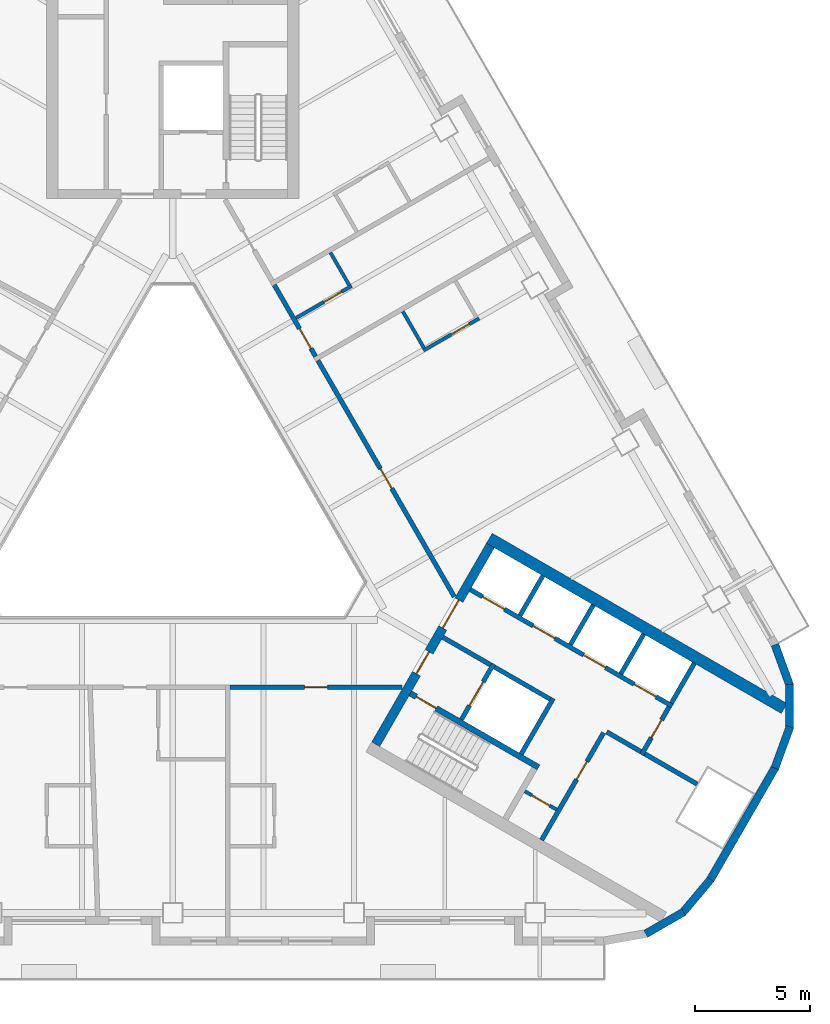
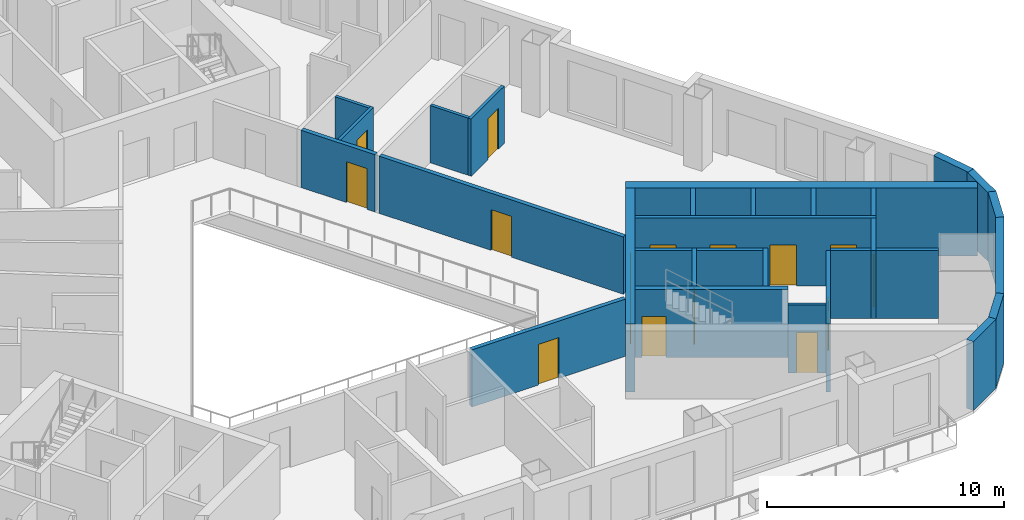
# One storey, part 5 of 13: 30 walls, 16 doors, 16 openings.
"""IFC4 building model written with IfcOpenShell, lengths in metres."""

from ifc_helpers import new_model, si_unit, direction, frame, frame_2d, origin, place, context, subcontext, project, spatial, rectangle, extrude, material, layer, layer_set, type_object, element, fill, save


model = new_model("IFC4")

# Units and contexts
model_context = context("Model", 3, precision=1e-05, world=origin(), true_north=direction((0.0, 1.0)))
body_context = subcontext(model_context, "Body", "Model", "MODEL_VIEW")
ifc_project = project(units=[si_unit("LENGTHUNIT", "METRE"), si_unit("AREAUNIT", "SQUARE_METRE"), si_unit("VOLUMEUNIT", "CUBIC_METRE"), si_unit("PLANEANGLEUNIT", "RADIAN"), si_unit("MASSUNIT", "GRAM", prefix="KILO")], contexts=[model_context])

# Site, building, storey
site_placement = place(None, origin())
site = spatial("IfcSite", under=ifc_project, at=site_placement, CompositionType="ELEMENT")
building_placement = place(site_placement, origin())
building = spatial("IfcBuilding", under=site, at=building_placement, Name="Apuvela Tower Hotel", CompositionType="ELEMENT")
storey_placement = place(building_placement, frame((0.0, 0.0, 94.60009765625)))
storey = spatial("IfcBuildingStorey", under=building, at=storey_placement, Name="L21", CompositionType="ELEMENT", Elevation=94.60009765625)

# Wall, openings, doors
ifc_material_1 = material(Name="Concrete C50/60", Category="concrete")
ifc_layer_1 = layer(ifc_material_1, 0.39990234375)
ifc_layer_set_1 = layer_set([ifc_layer_1], Name="COR-WALL-CORE-400")
wall_type_1 = type_object("IfcWallType", Name="COR-WALL-CORE-400", PredefinedType="SHEAR", material=ifc_layer_set_1)
wall_1_placement = place(storey_placement, frame((8.844970703125, -10.880126953125, 0.0), z_axis=(0.0, 0.0, 1.0), x_axis=(0.500004234368, 0.866022959057, 0.0)))
wall_1 = element("IfcWall", 1, at=wall_1_placement, inside=storey, type_object=wall_type_1, Name="Core wall SE", PredefinedType="SHEAR", context=body_context, shape_type="SweptSolid", body=[
    extrude(rectangle(XDim=10.0, YDim=0.39990234375, at=frame_2d((5.0, 0.0))), origin(), (0.0, 0.0, 1.0), 3.5),
])
opening_1_placement = place(wall_1_placement, frame((3.550048828125, 0.0, 0.0)))
opening_1 = element("IfcOpeningElement", 2, at=opening_1_placement, cuts=wall_1, Name="Opening E-FD", PredefinedType="OPENING", context=body_context, shape_type="SweptSolid", body=[
    extrude(rectangle(XDim=1.10009765625, YDim=2.10009765625, at=frame_2d((0.550048828125, 1.050048828125))), frame((0.0, 0.2099609375, 0.0), z_axis=(0.0, -1.0, 0.0), x_axis=(1.0, 0.0, 0.0)), (0.0, 0.0, 1.0), 0.419921875),
])
opening_2_placement = place(wall_1_placement, frame((5.85009765625, 0.0, 0.0)))
opening_2 = element("IfcOpeningElement", 3, at=opening_2_placement, cuts=wall_1, Name="Opening E-GD", PredefinedType="OPENING", context=body_context, shape_type="SweptSolid", body=[
    extrude(rectangle(XDim=1.39990234375, YDim=2.10009765625, at=frame_2d((0.699951171875, 1.050048828125))), frame((0.0, 0.2099609375, 0.0), z_axis=(0.0, -1.0, 0.0), x_axis=(1.0, 0.0, 0.0)), (0.0, 0.0, 1.0), 0.419921875),
])
ifc_material_2 = material(Name="Steel fire door, powder coated", Category="steel")
door_type_1 = type_object("IfcDoorType", Name="COR-FD-1100", OperationType="NOTDEFINED", PredefinedType="DOOR", material=ifc_material_2)
door_1_placement = place(opening_1_placement, frame((1.10009765625, 0.0, 0.0), z_axis=(0.0, 0.0, 1.0), x_axis=(-1.0, 0.0, 0.0)))
door_1 = element("IfcDoor", 4, at=door_1_placement, inside=storey, type_object=door_type_1, Name="Firefighting lobby door E-FD", OperationType="SINGLE_SWING_LEFT", OverallHeight=2.10009765625, OverallWidth=1.10009765625, PredefinedType="DOOR", context=body_context, shape_type="SweptSolid", body=[
    extrude(rectangle(XDim=1.10009765625, YDim=2.10009765625, at=frame_2d((0.550048828125, 1.050048828125))), frame((0.0, 0.02490234375, 0.0), z_axis=(0.0, -1.0, 0.0), x_axis=(1.0, 0.0, 0.0)), (0.0, 0.0, 1.0), 0.050048828125),
])
fill(opening_1, door_1)
ifc_material_3 = material(Name="Glazed steel fire door", Category="steel")
door_type_2 = type_object("IfcDoorType", Name="COR-GD-1400", OperationType="DOUBLE_DOOR_SINGLE_SWING", PredefinedType="DOOR", material=ifc_material_3)
door_2_placement = place(opening_2_placement, frame((1.39990234375, 0.0, 0.0), z_axis=(0.0, 0.0, 1.0), x_axis=(-1.0, 0.0, 0.0)))
door_2 = element("IfcDoor", 5, at=door_2_placement, inside=storey, type_object=door_type_2, Name="Lift lobby door E-GD", OperationType="DOUBLE_DOOR_SINGLE_SWING", OverallHeight=2.10009765625, OverallWidth=1.39990234375, PredefinedType="DOOR", context=body_context, shape_type="SweptSolid", body=[
    extrude(rectangle(XDim=1.39990234375, YDim=2.10009765625, at=frame_2d((0.699951171875, 1.050048828125))), frame((0.0, 0.02490234375, 0.0), z_axis=(0.0, -1.0, 0.0), x_axis=(1.0, 0.0, 0.0)), (0.0, 0.0, 1.0), 0.050048828125),
])
fill(opening_2, door_2)

# Wall
ifc_layer_2 = layer(ifc_material_1, 0.5)
ifc_layer_set_2 = layer_set([ifc_layer_2], Name="COR-WALL-CORE-500")
wall_type_2 = type_object("IfcWallType", Name="COR-WALL-CORE-500", PredefinedType="SHEAR", material=ifc_layer_set_2)
wall_2_placement = place(storey_placement, frame((13.796630859375, -1.9033203125, 0.0), z_axis=(0.0, 0.0, 1.0), x_axis=(0.866025009528, -0.500000682871, 0.0)))
element("IfcWall", 6, at=wall_2_placement, inside=storey, type_object=wall_type_2, Name="Core wall SE", PredefinedType="SHEAR", context=body_context, shape_type="SweptSolid", body=[
    extrude(rectangle(XDim=14.8369140625, YDim=0.5, at=frame_2d((7.41845703125, 0.0))), origin(), (0.0, 0.0, 1.0), 3.5),
])

# Wall, opening, door
ifc_material_4 = material(Name="Blockwork 150 mm plastered", Category="masonry")
ifc_layer_3 = layer(ifc_material_4, 0.14990234375)
ifc_layer_set_3 = layer_set([ifc_layer_3], Name="COR-WALL-PART-150")
wall_type_3 = type_object("IfcWallType", Name="COR-WALL-PART-150", PredefinedType="PARTITIONING", material=ifc_layer_set_3)
wall_3_placement = place(storey_placement, frame((15.341552734375, -12.927734375, 0.0), z_axis=(0.0, 0.0, 1.0), x_axis=(0.865989903783, -0.500061482766, 0.0)))
wall_3 = element("IfcWall", 7, at=wall_3_placement, inside=storey, type_object=wall_type_3, Name="Partition SE", PredefinedType="PARTITIONING", context=body_context, shape_type="SweptSolid", body=[
    extrude(rectangle(XDim=1.599853515625, YDim=0.14990234375, at=frame_2d((0.7998046875, 0.0))), origin(), (0.0, 0.0, 1.0), 3.5),
])
opening_3_placement = place(wall_3_placement, frame((0.35009765625, 0.0, 0.0)))
opening_3 = element("IfcOpeningElement", 8, at=opening_3_placement, cuts=wall_3, Name="Opening E-RD", PredefinedType="OPENING", context=body_context, shape_type="SweptSolid", body=[
    extrude(rectangle(XDim=0.89990234375, YDim=2.10009765625, at=frame_2d((0.449951171875, 1.050048828125))), frame((0.0, 0.0849609375, 0.0), z_axis=(0.0, -1.0, 0.0), x_axis=(1.0, 0.0, 0.0)), (0.0, 0.0, 1.0), 0.169921875),
])
ifc_material_5 = material(Name="Steel access door, powder coated", Category="steel")
door_type_3 = type_object("IfcDoorType", Name="COR-RD-900", OperationType="NOTDEFINED", PredefinedType="DOOR", material=ifc_material_5)
door_3_placement = place(opening_3_placement, frame((0.89990234375, 0.0, 0.0), z_axis=(0.0, 0.0, 1.0), x_axis=(-1.0, 0.0, 0.0)))
door_3 = element("IfcDoor", 9, at=door_3_placement, inside=storey, type_object=door_type_3, Name="Riser door E-RD", OperationType="SINGLE_SWING_LEFT", OverallHeight=2.10009765625, OverallWidth=0.89990234375, PredefinedType="DOOR", context=body_context, shape_type="SweptSolid", body=[
    extrude(rectangle(XDim=0.89990234375, YDim=2.10009765625, at=frame_2d((0.449951171875, 1.050048828125))), frame((0.0, 0.02490234375, 0.0), z_axis=(0.0, -1.0, 0.0), x_axis=(1.0, 0.0, 0.0)), (0.0, 0.0, 1.0), 0.050048828125),
])
fill(opening_3, door_3)

ifc_material_6 = material(Name="Blockwork 200 mm plastered", Category="masonry")
ifc_layer_4 = layer(ifc_material_6, 0.199951171875)
ifc_layer_set_4 = layer_set([ifc_layer_4], Name="COR-WALL-PART-200")
wall_type_4 = type_object("IfcWallType", Name="COR-WALL-PART-200", PredefinedType="PARTITIONING", material=ifc_layer_set_4)
wall_4_placement = place(storey_placement, frame((16.076171875, -15.05517578125, 0.0), z_axis=(0.0, 0.0, 1.0), x_axis=(0.499995103361, 0.866028230842, 0.0)))
wall_4 = element("IfcWall", 10, at=wall_4_placement, inside=storey, type_object=wall_type_4, Name="Partition SE", PredefinedType="PARTITIONING", context=body_context, shape_type="SweptSolid", body=[
    extrude(rectangle(XDim=5.39990234375, YDim=0.199951171875, at=frame_2d((2.699951171875, 0.0))), origin(), (0.0, 0.0, 1.0), 3.5),
])
opening_4_placement = place(wall_4_placement, frame((3.050048828125, 0.0, 0.0)))
opening_4 = element("IfcOpeningElement", 11, at=opening_4_placement, cuts=wall_4, Name="Opening E-RS1", PredefinedType="OPENING", context=body_context, shape_type="SweptSolid", body=[
    extrude(rectangle(XDim=0.89990234375, YDim=2.10009765625, at=frame_2d((0.449951171875, 1.050048828125))), frame((0.0, 0.10986328125, 0.0), z_axis=(0.0, -1.0, 0.0), x_axis=(1.0, 0.0, 0.0)), (0.0, 0.0, 1.0), 0.219970703125),
])
door_type_4 = type_object("IfcDoorType", Name="COR-DR-900", OperationType="NOTDEFINED", PredefinedType="DOOR", material=ifc_material_2)
door_4_placement = place(opening_4_placement, frame((0.89990234375, 0.0, 0.0), z_axis=(0.0, 0.0, 1.0), x_axis=(-1.0, 0.0, 0.0)))
door_4 = element("IfcDoor", 12, at=door_4_placement, inside=storey, type_object=door_type_4, Name="Store door E-RS1", OperationType="SINGLE_SWING_LEFT", OverallHeight=2.10009765625, OverallWidth=0.89990234375, PredefinedType="DOOR", context=body_context, shape_type="SweptSolid", body=[
    extrude(rectangle(XDim=0.89990234375, YDim=2.10009765625, at=frame_2d((0.449951171875, 1.050048828125))), frame((0.0, 0.02490234375, 0.0), z_axis=(0.0, -1.0, 0.0), x_axis=(1.0, 0.0, 0.0)), (0.0, 0.0, 1.0), 0.050048828125),
])
fill(opening_4, door_4)

# Wall
ifc_layer_5 = layer(ifc_material_1, 0.199951171875)
ifc_layer_set_5 = layer_set([ifc_layer_5], Name="COR-WALL-SHAFT-200")
wall_type_5 = type_object("IfcWallType", Name="COR-WALL-SHAFT-200", PredefinedType="SHEAR", material=ifc_layer_set_5)
wall_5_placement = place(storey_placement, frame((15.181396484375, -11.305419921875, 0.0), z_axis=(0.0, 0.0, 1.0), x_axis=(0.49994636267, 0.866056369097, 0.0)))
element("IfcWall", 13, at=wall_5_placement, inside=storey, type_object=wall_type_5, Name="Shaft wall SE", PredefinedType="SHEAR", context=body_context, shape_type="SweptSolid", body=[
    extrude(rectangle(XDim=2.800048828125, YDim=0.199951171875, at=frame_2d((1.39990234375, 0.0))), origin(), (0.0, 0.0, 1.0), 3.5),
])

# Wall, opening, door
wall_6_placement = place(storey_placement, frame((12.583251953125, -9.805419921875, 0.0), z_axis=(0.0, 0.0, 1.0), x_axis=(0.49994636267, 0.866056369097, 0.0)))
wall_6 = element("IfcWall", 14, at=wall_6_placement, inside=storey, type_object=wall_type_5, Name="Shaft wall SE", PredefinedType="SHEAR", context=body_context, shape_type="SweptSolid", body=[
    extrude(rectangle(XDim=2.800048828125, YDim=0.199951171875, at=frame_2d((1.39990234375, 0.0))), origin(), (0.0, 0.0, 1.0), 3.5),
])
opening_5_placement = place(wall_6_placement, frame((0.699951171875, 0.0, 0.0)))
opening_5 = element("IfcOpeningElement", 15, at=opening_5_placement, cuts=wall_6, Name="Opening E-LD-FS3", PredefinedType="OPENING", context=body_context, shape_type="SweptSolid", body=[
    extrude(rectangle(XDim=1.199951171875, YDim=2.10009765625, at=frame_2d((0.60009765625, 1.050048828125))), frame((0.0, 0.10986328125, 0.0), z_axis=(0.0, -1.0, 0.0), x_axis=(1.0, 0.0, 0.0)), (0.0, 0.0, 1.0), 0.219970703125),
])
ifc_material_7 = material(Name="Stainless steel lift landing door", Category="steel")
door_type_5 = type_object("IfcDoorType", Name="COR-LD-1200", OperationType="DOUBLE_DOOR_SLIDING", PredefinedType="DOOR", material=ifc_material_7)
door_5_placement = place(opening_5_placement, origin())
door_5 = element("IfcDoor", 16, at=door_5_placement, inside=storey, type_object=door_type_5, Name="Lift landing door E-LD-FS3", OperationType="DOUBLE_DOOR_SLIDING", OverallHeight=2.10009765625, OverallWidth=1.199951171875, PredefinedType="DOOR", context=body_context, shape_type="SweptSolid", body=[
    extrude(rectangle(XDim=1.199951171875, YDim=2.10009765625, at=frame_2d((0.60009765625, 1.050048828125))), frame((0.0, 0.02490234375, 0.0), z_axis=(0.0, -1.0, 0.0), x_axis=(1.0, 0.0, 0.0)), (0.0, 0.0, 1.0), 0.050048828125),
])
fill(opening_5, door_5)

# Walls
wall_7_placement = place(storey_placement, frame((11.76806640625, -6.217041015625, 0.0), z_axis=(0.0, 0.0, 1.0), x_axis=(0.866050077142, -0.499957262057, 0.0)))
element("IfcWall", 17, at=wall_7_placement, inside=storey, type_object=wall_type_5, Name="Shaft wall SE", PredefinedType="SHEAR", context=body_context, shape_type="SweptSolid", body=[
    extrude(rectangle(XDim=2.400146484375, YDim=0.199951171875, at=frame_2d((1.2001953125, 0.0))), origin(), (0.0, 0.0, 1.0), 3.5),
])
wall_8_placement = place(storey_placement, frame((14.019775390625, -7.51708984375, 0.0), z_axis=(0.0, 0.0, 1.0), x_axis=(0.866034573852, -0.49998411664, 0.0)))
element("IfcWall", 18, at=wall_8_placement, inside=storey, type_object=wall_type_5, Name="Shaft wall SE", PredefinedType="SHEAR", context=body_context, shape_type="SweptSolid", body=[
    extrude(rectangle(XDim=2.7998046875, YDim=0.199951171875, at=frame_2d((1.39990234375, 0.0))), origin(), (0.0, 0.0, 1.0), 3.5),
])

# Wall, openings, doors
wall_9_placement = place(storey_placement, frame((12.968017578125, -4.138427734375, 0.0), z_axis=(0.0, 0.0, 1.0), x_axis=(0.866028328073, -0.49999493495, 0.0)))
wall_9 = element("IfcWall", 19, at=wall_9_placement, inside=storey, type_object=wall_type_5, Name="Shaft wall SE", PredefinedType="SHEAR", context=body_context, shape_type="SweptSolid", body=[
    extrude(rectangle(XDim=10.16015625, YDim=0.199951171875, at=frame_2d((5.080078125, 0.0))), origin(), (0.0, 0.0, 1.0), 3.5),
])
opening_6_placement = place(wall_9_placement, frame((0.6201171875, 0.0, 0.0)))
opening_6 = element("IfcOpeningElement", 20, at=opening_6_placement, cuts=wall_9, Name="Opening E-LD-LR1", PredefinedType="OPENING", context=body_context, shape_type="SweptSolid", body=[
    extrude(rectangle(XDim=1.10009765625, YDim=2.10009765625, at=frame_2d((0.550048828125, 1.050048828125))), frame((0.0, 0.10986328125, 0.0), z_axis=(0.0, -1.0, 0.0), x_axis=(1.0, 0.0, 0.0)), (0.0, 0.0, 1.0), 0.219970703125),
])
opening_7_placement = place(wall_9_placement, frame((3.159912109375, 0.0, 0.0)))
opening_7 = element("IfcOpeningElement", 21, at=opening_7_placement, cuts=wall_9, Name="Opening E-LD-LR2", PredefinedType="OPENING", context=body_context, shape_type="SweptSolid", body=[
    extrude(rectangle(XDim=1.10009765625, YDim=2.10009765625, at=frame_2d((0.550048828125, 1.050048828125))), frame((0.0, 0.10986328125, 0.0), z_axis=(0.0, -1.0, 0.0), x_axis=(1.0, 0.0, 0.0)), (0.0, 0.0, 1.0), 0.219970703125),
])
opening_8_placement = place(wall_9_placement, frame((5.699951171875, 0.0, 0.0)))
opening_8 = element("IfcOpeningElement", 22, at=opening_8_placement, cuts=wall_9, Name="Opening E-LD-LR3", PredefinedType="OPENING", context=body_context, shape_type="SweptSolid", body=[
    extrude(rectangle(XDim=1.10009765625, YDim=2.10009765625, at=frame_2d((0.550048828125, 1.050048828125))), frame((0.0, 0.10986328125, 0.0), z_axis=(0.0, -1.0, 0.0), x_axis=(1.0, 0.0, 0.0)), (0.0, 0.0, 1.0), 0.219970703125),
])
opening_9_placement = place(wall_9_placement, frame((8.239990234375, 0.0, 0.0)))
opening_9 = element("IfcOpeningElement", 23, at=opening_9_placement, cuts=wall_9, Name="Opening E-LD-LR4", PredefinedType="OPENING", context=body_context, shape_type="SweptSolid", body=[
    extrude(rectangle(XDim=1.10009765625, YDim=2.10009765625, at=frame_2d((0.550048828125, 1.050048828125))), frame((0.0, 0.10986328125, 0.0), z_axis=(0.0, -1.0, 0.0), x_axis=(1.0, 0.0, 0.0)), (0.0, 0.0, 1.0), 0.219970703125),
])
door_type_6 = type_object("IfcDoorType", Name="COR-LD-1100", OperationType="DOUBLE_DOOR_SLIDING", PredefinedType="DOOR", material=ifc_material_7)
door_6_placement = place(opening_6_placement, origin())
door_6 = element("IfcDoor", 24, at=door_6_placement, inside=storey, type_object=door_type_6, Name="Lift landing door E-LD-LR1", OperationType="DOUBLE_DOOR_SLIDING", OverallHeight=2.10009765625, OverallWidth=1.10009765625, PredefinedType="DOOR", context=body_context, shape_type="SweptSolid", body=[
    extrude(rectangle(XDim=1.10009765625, YDim=2.10009765625, at=frame_2d((0.550048828125, 1.050048828125))), frame((0.0, 0.02490234375, 0.0), z_axis=(0.0, -1.0, 0.0), x_axis=(1.0, 0.0, 0.0)), (0.0, 0.0, 1.0), 0.050048828125),
])
fill(opening_6, door_6)
door_7_placement = place(opening_7_placement, origin())
door_7 = element("IfcDoor", 25, at=door_7_placement, inside=storey, type_object=door_type_6, Name="Lift landing door E-LD-LR2", OperationType="DOUBLE_DOOR_SLIDING", OverallHeight=2.10009765625, OverallWidth=1.10009765625, PredefinedType="DOOR", context=body_context, shape_type="SweptSolid", body=[
    extrude(rectangle(XDim=1.10009765625, YDim=2.10009765625, at=frame_2d((0.550048828125, 1.050048828125))), frame((0.0, 0.02490234375, 0.0), z_axis=(0.0, -1.0, 0.0), x_axis=(1.0, 0.0, 0.0)), (0.0, 0.0, 1.0), 0.050048828125),
])
fill(opening_7, door_7)
door_8_placement = place(opening_8_placement, origin())
door_8 = element("IfcDoor", 26, at=door_8_placement, inside=storey, type_object=door_type_6, Name="Lift landing door E-LD-LR3", OperationType="DOUBLE_DOOR_SLIDING", OverallHeight=2.10009765625, OverallWidth=1.10009765625, PredefinedType="DOOR", context=body_context, shape_type="SweptSolid", body=[
    extrude(rectangle(XDim=1.10009765625, YDim=2.10009765625, at=frame_2d((0.550048828125, 1.050048828125))), frame((0.0, 0.02490234375, 0.0), z_axis=(0.0, -1.0, 0.0), x_axis=(1.0, 0.0, 0.0)), (0.0, 0.0, 1.0), 0.050048828125),
])
fill(opening_8, door_8)
door_9_placement = place(opening_9_placement, origin())
door_9 = element("IfcDoor", 27, at=door_9_placement, inside=storey, type_object=door_type_6, Name="Lift landing door E-LD-LR4", OperationType="DOUBLE_DOOR_SLIDING", OverallHeight=2.10009765625, OverallWidth=1.10009765625, PredefinedType="DOOR", context=body_context, shape_type="SweptSolid", body=[
    extrude(rectangle(XDim=1.10009765625, YDim=2.10009765625, at=frame_2d((0.550048828125, 1.050048828125))), frame((0.0, 0.02490234375, 0.0), z_axis=(0.0, -1.0, 0.0), x_axis=(1.0, 0.0, 0.0)), (0.0, 0.0, 1.0), 0.050048828125),
])
fill(opening_9, door_9)

# Wall, opening, door
wall_10_placement = place(storey_placement, frame((20.430419921875, -11.33349609375, 0.0), z_axis=(0.0, 0.0, 1.0), x_axis=(0.500001309137, 0.866024647952, 0.0)))
wall_10 = element("IfcWall", 28, at=wall_10_placement, inside=storey, type_object=wall_type_5, Name="Shaft wall SE", PredefinedType="SHEAR", context=body_context, shape_type="SweptSolid", body=[
    extrude(rectangle(XDim=2.39990234375, YDim=0.199951171875, at=frame_2d((1.199951171875, 0.0))), origin(), (0.0, 0.0, 1.0), 3.5),
])
opening_10_placement = place(wall_10_placement, frame((0.85009765625, 0.0, 0.0)))
opening_10 = element("IfcOpeningElement", 29, at=opening_10_placement, cuts=wall_10, Name="Opening E-REP", PredefinedType="OPENING", context=body_context, shape_type="SweptSolid", body=[
    extrude(rectangle(XDim=0.89990234375, YDim=2.10009765625, at=frame_2d((0.449951171875, 1.050048828125))), frame((0.0, 0.10986328125, 0.0), z_axis=(0.0, -1.0, 0.0), x_axis=(1.0, 0.0, 0.0)), (0.0, 0.0, 1.0), 0.219970703125),
])
door_10_placement = place(opening_10_placement, frame((0.89990234375, 0.0, 0.0), z_axis=(0.0, 0.0, 1.0), x_axis=(-1.0, 0.0, 0.0)))
door_10 = element("IfcDoor", 30, at=door_10_placement, inside=storey, type_object=door_type_4, Name="Store door E-REP", OperationType="SINGLE_SWING_RIGHT", OverallHeight=2.10009765625, OverallWidth=0.89990234375, PredefinedType="DOOR", context=body_context, shape_type="SweptSolid", body=[
    extrude(rectangle(XDim=0.89990234375, YDim=2.10009765625, at=frame_2d((0.449951171875, 1.050048828125))), frame((0.0, 0.02490234375, 0.0), z_axis=(0.0, -1.0, 0.0), x_axis=(1.0, 0.0, 0.0)), (0.0, 0.0, 1.0), 0.050048828125),
])
fill(opening_10, door_10)

# Walls
wall_11_placement = place(storey_placement, frame((18.912841796875, -10.342041015625, 0.0), z_axis=(0.0, 0.0, 1.0), x_axis=(0.866038183914, -0.499977863513, 0.0)))
element("IfcWall", 31, at=wall_11_placement, inside=storey, type_object=wall_type_5, Name="Shaft wall SE", PredefinedType="SHEAR", context=body_context, shape_type="SweptSolid", body=[
    extrude(rectangle(XDim=1.7099609375, YDim=0.199951171875, at=frame_2d((0.85498046875, 0.0))), origin(), (0.0, 0.0, 1.0), 3.5),
])
for number, where, z_axis, x_axis, name in (
    (32, (15.131103515625, -5.27197265625, 0.0), (0.0, 0.0, 1.0), (0.499972520799, 0.866041268327, 0.0), "Shaft wall SE"),
    (33, (17.330810546875, -6.5419921875, 0.0), (0.0, 0.0, 1.0), (0.499972520799, 0.866041268327, 0.0), "Shaft wall SE"),
    (34, (19.530517578125, -7.81201171875, 0.0), (0.0, 0.0, 1.0), (0.499972520799, 0.866041268327, 0.0), "Shaft wall SE"),
    (35, (21.73046875, -9.081787109375, 0.0), (0.0, 0.0, 1.0), (0.50002537861, 0.866010750942, 0.0), "Shaft wall SE"),
):
    element("IfcWall", number, at=place(storey_placement, frame(where, z_axis=z_axis, x_axis=x_axis)), inside=storey, type_object=wall_type_5, Name=name, PredefinedType="SHEAR", context=body_context, shape_type="SweptSolid", body=[
        extrude(rectangle(XDim=2.0, YDim=0.199951171875, at=frame_2d((1.0, 0.0))), origin(), (0.0, 0.0, 1.0), 3.5),
    ])
wall_12_placement = place(storey_placement, frame((20.56689453125, -11.297119140625, 0.0), z_axis=(0.0, 0.0, 1.0), x_axis=(0.866060851709, -0.499938597367, 0.0)))
element("IfcWall", 36, at=wall_12_placement, inside=storey, type_object=wall_type_5, Name="Shaft wall SE", PredefinedType="SHEAR", context=body_context, shape_type="SweptSolid", body=[
    extrude(rectangle(XDim=2.639892578125, YDim=0.199951171875, at=frame_2d((1.31982421875, 0.0))), origin(), (0.0, 0.0, 1.0), 3.5),
])

# Wall, opening, door
ifc_layer_6 = layer(ifc_material_1, 0.25)
ifc_layer_set_6 = layer_set([ifc_layer_6], Name="COR-WALL-STAIR-250")
wall_type_6 = type_object("IfcWallType", Name="COR-WALL-STAIR-250", PredefinedType="SHEAR", material=ifc_layer_set_6)
wall_13_placement = place(storey_placement, frame((10.355712890625, -8.66357421875, 0.0), z_axis=(0.0, 0.0, 1.0), x_axis=(0.866028629588, -0.499994412703, 0.0)))
wall_13 = element("IfcWall", 37, at=wall_13_placement, inside=storey, type_object=wall_type_6, Name="Stair wall SE", PredefinedType="SHEAR", context=body_context, shape_type="SweptSolid", body=[
    extrude(rectangle(XDim=6.44970703125, YDim=0.25, at=frame_2d((3.224853515625, 0.0))), origin(), (0.0, 0.0, 1.0), 3.5),
])
opening_11_placement = place(wall_13_placement, frame((0.300048828125, 0.0, 0.0)))
opening_11 = element("IfcOpeningElement", 38, at=opening_11_placement, cuts=wall_13, Name="Opening E-SD", PredefinedType="OPENING", context=body_context, shape_type="SweptSolid", body=[
    extrude(rectangle(XDim=1.0, YDim=2.10009765625, at=frame_2d((0.5, 1.050048828125))), frame((0.0, 0.135009765625, 0.0), z_axis=(0.0, -1.0, 0.0), x_axis=(1.0, 0.0, 0.0)), (0.0, 0.0, 1.0), 0.27001953125),
])
door_type_7 = type_object("IfcDoorType", Name="COR-SD-1000", OperationType="NOTDEFINED", PredefinedType="DOOR", material=ifc_material_2)
door_11_placement = place(opening_11_placement, frame((1.0, 0.0, 0.0), z_axis=(0.0, 0.0, 1.0), x_axis=(-1.0, 0.0, 0.0)))
door_11 = element("IfcDoor", 39, at=door_11_placement, inside=storey, type_object=door_type_7, Name="Stair door E-SD", OperationType="SINGLE_SWING_LEFT", OverallHeight=2.10009765625, OverallWidth=1.0, PredefinedType="DOOR", context=body_context, shape_type="SweptSolid", body=[
    extrude(rectangle(XDim=1.0, YDim=2.10009765625, at=frame_2d((0.5, 1.050048828125))), frame((0.0, 0.02490234375, 0.0), z_axis=(0.0, -1.0, 0.0), x_axis=(1.0, 0.0, 0.0)), (0.0, 0.0, 1.0), 0.050048828125),
])
fill(opening_11, door_11)

# Walls
ifc_material_8 = material(Name="Concrete C40/50, dark pigmented precast panel", Category="concrete")
ifc_layer_7 = layer(ifc_material_8, 0.35009765625)
ifc_layer_set_7 = layer_set([ifc_layer_7], Name="ENV-WALL-350")
wall_type_7 = type_object("IfcWallType", Name="ENV-WALL-350", PredefinedType="SOLIDWALL", material=ifc_layer_set_7)
for number, where, z_axis, x_axis, name in (
    (40, (20.609619140625, -19.146728515625, 0.0), (0.0, 0.0, 1.0), (0.866000389056, 0.500043324278, 0.0), "External wall L21-27"),
    (41, (22.21728515625, -18.230712890625, 0.0), (0.0, 0.0, 1.0), (0.642733291068, 0.76609001857, 0.0), "External wall L21-28"),
):
    element("IfcWall", number, at=place(storey_placement, frame(where, z_axis=z_axis, x_axis=x_axis)), inside=storey, type_object=wall_type_7, Name=name, PredefinedType="SOLIDWALL", context=body_context, shape_type="SweptSolid", body=[
        extrude(rectangle(XDim=1.909912109375, YDim=0.35009765625, at=frame_2d((0.955078125, 0.0))), origin(), (0.0, 0.0, 1.0), 3.5498046875),
    ])
wall_14_placement = place(storey_placement, frame((23.427490234375, -16.79248046875, 0.0), z_axis=(0.0, 0.0, 1.0), x_axis=(0.500018773155, 0.866014564827, 0.0)))
element("IfcWall", 42, at=wall_14_placement, inside=storey, type_object=wall_type_7, Name="External wall L21-29", PredefinedType="SOLIDWALL", context=body_context, shape_type="SweptSolid", body=[
    extrude(rectangle(XDim=5.657958984375, YDim=0.35009765625, at=frame_2d((2.8291015625, 0.0))), origin(), (0.0, 0.0, 1.0), 3.5498046875),
])
for number, where, z_axis, x_axis, name in (
    (43, (26.24365234375, -11.920166015625, 0.0), (0.0, 0.0, 1.0), (0.342030395486, 0.939688889242, 0.0), "External wall L21-30"),
    (44, (26.88623046875, -10.18505859375, 0.0), (0.0, 0.0, 1.0), (0.0, 1.0, 0.0), "External wall L21-31"),
    (45, (26.89697265625, -8.334716796875, 0.0), (0.0, 0.0, 1.0), (-0.342030395486, 0.939688889242, 0.0), "External wall L21-32"),
):
    element("IfcWall", number, at=place(storey_placement, frame(where, z_axis=z_axis, x_axis=x_axis)), inside=storey, type_object=wall_type_7, Name=name, PredefinedType="SOLIDWALL", context=body_context, shape_type="SweptSolid", body=[
        extrude(rectangle(XDim=1.91015625, YDim=0.35009765625, at=frame_2d((0.955078125, 0.0))), origin(), (0.0, 0.0, 1.0), 3.5498046875),
    ])

# Wall, opening, door
ifc_material_9 = material(Name="Gypsum board corridor wall on twin steel stud, acoustic", Category="steel")
ifc_layer_8 = layer(ifc_material_9, 0.199951171875)
ifc_layer_set_8 = layer_set([ifc_layer_8], Name="GST-PW2")
wall_type_8 = type_object("IfcWallType", Name="GST-PW2", PredefinedType="PARTITIONING", material=ifc_layer_set_8)
wall_15_placement = place(storey_placement, frame((9.98828125, -8.39990234375, 0.0), z_axis=(0.0, 0.0, 1.0), x_axis=(-1.0, 0.0, 0.0)))
wall_15 = element("IfcWall", 46, at=wall_15_placement, inside=storey, type_object=wall_type_8, Name="L21 partition 15", PredefinedType="PARTITIONING", context=body_context, shape_type="SweptSolid", body=[
    extrude(rectangle(XDim=7.48828125, YDim=0.199951171875, at=frame_2d((3.744140625, 0.0))), origin(), (0.0, 0.0, 1.0), 2.949951171875),
])
opening_12_placement = place(wall_15_placement, frame((3.244140625, 0.0, 0.0)))
opening_12 = element("IfcOpeningElement", 47, at=opening_12_placement, cuts=wall_15, Name="Opening GD07-06", PredefinedType="OPENING", context=body_context, shape_type="SweptSolid", body=[
    extrude(rectangle(XDim=1.0, YDim=2.10009765625, at=frame_2d((0.5, 1.050048828125))), frame((0.0, 0.10986328125, 0.0), z_axis=(0.0, -1.0, 0.0), x_axis=(1.0, 0.0, 0.0)), (0.0, 0.0, 1.0), 0.219970703125),
])
ifc_material_10 = material(Name="Timber door leaf in steel frame", Category="steel")
door_type_8 = type_object("IfcDoorType", Name="GST-D1", OperationType="NOTDEFINED", PredefinedType="DOOR", material=ifc_material_10)
door_12_placement = place(opening_12_placement, origin())
door_12 = element("IfcDoor", 48, at=door_12_placement, inside=storey, type_object=door_type_8, Name="Door L21-06", OperationType="SINGLE_SWING_RIGHT", OverallHeight=2.10009765625, OverallWidth=1.0, PredefinedType="DOOR", context=body_context, shape_type="SweptSolid", body=[
    extrude(rectangle(XDim=1.0, YDim=2.10009765625, at=frame_2d((0.5, 1.050048828125))), frame((0.0, 0.02490234375, 0.0), z_axis=(0.0, -1.0, 0.0), x_axis=(1.0, 0.0, 0.0)), (0.0, 0.0, 1.0), 0.050048828125),
])
fill(opening_12, door_12)

wall_16_placement = place(storey_placement, frame((6.32470703125, 5.845458984375, 0.0), z_axis=(0.0, 0.0, 1.0), x_axis=(0.500002143212, -0.866024166397, 0.0)))
wall_16 = element("IfcWall", 49, at=wall_16_placement, inside=storey, type_object=wall_type_8, Name="L21 partition 19", PredefinedType="PARTITIONING", context=body_context, shape_type="SweptSolid", body=[
    extrude(rectangle(XDim=11.88818359375, YDim=0.199951171875, at=frame_2d((5.944091796875, 0.0))), origin(), (0.0, 0.0, 1.0), 2.949951171875),
])
opening_13_placement = place(wall_16_placement, frame((5.444091796875, 0.0, 0.0)))
opening_13 = element("IfcOpeningElement", 50, at=opening_13_placement, cuts=wall_16, Name="Opening GD07-08", PredefinedType="OPENING", context=body_context, shape_type="SweptSolid", body=[
    extrude(rectangle(XDim=1.0, YDim=2.10009765625, at=frame_2d((0.5, 1.050048828125))), frame((0.0, 0.10986328125, 0.0), z_axis=(0.0, -1.0, 0.0), x_axis=(1.0, 0.0, 0.0)), (0.0, 0.0, 1.0), 0.219970703125),
])
door_13_placement = place(opening_13_placement, origin())
door_13 = element("IfcDoor", 51, at=door_13_placement, inside=storey, type_object=door_type_8, Name="Door L21-08", OperationType="SINGLE_SWING_LEFT", OverallHeight=2.10009765625, OverallWidth=1.0, PredefinedType="DOOR", context=body_context, shape_type="SweptSolid", body=[
    extrude(rectangle(XDim=1.0, YDim=2.10009765625, at=frame_2d((0.5, 1.050048828125))), frame((0.0, 0.02490234375, 0.0), z_axis=(0.0, -1.0, 0.0), x_axis=(1.0, 0.0, 0.0)), (0.0, 0.0, 1.0), 0.050048828125),
])
fill(opening_13, door_13)

wall_17_placement = place(storey_placement, frame((4.424560546875, 9.13623046875, 0.0), z_axis=(0.0, 0.0, 1.0), x_axis=(0.500041424909, -0.866001485781, 0.0)))
wall_17 = element("IfcWall", 52, at=wall_17_placement, inside=storey, type_object=wall_type_8, Name="L21 partition 23", PredefinedType="PARTITIONING", context=body_context, shape_type="SweptSolid", body=[
    extrude(rectangle(XDim=3.599853515625, YDim=0.199951171875, at=frame_2d((1.7998046875, 0.0))), origin(), (0.0, 0.0, 1.0), 2.949951171875),
])
opening_14_placement = place(wall_17_placement, frame((2.199951171875, 0.0, 0.0)))
opening_14 = element("IfcOpeningElement", 53, at=opening_14_placement, cuts=wall_17, Name="Opening GD07-10", PredefinedType="OPENING", context=body_context, shape_type="SweptSolid", body=[
    extrude(rectangle(XDim=1.0, YDim=2.10009765625, at=frame_2d((0.5, 1.050048828125))), frame((0.0, 0.10986328125, 0.0), z_axis=(0.0, -1.0, 0.0), x_axis=(1.0, 0.0, 0.0)), (0.0, 0.0, 1.0), 0.219970703125),
])
door_14_placement = place(opening_14_placement, origin())
door_14 = element("IfcDoor", 54, at=door_14_placement, inside=storey, type_object=door_type_8, Name="Door L21-10", OperationType="SINGLE_SWING_RIGHT", OverallHeight=2.10009765625, OverallWidth=1.0, PredefinedType="DOOR", context=body_context, shape_type="SweptSolid", body=[
    extrude(rectangle(XDim=1.0, YDim=2.10009765625, at=frame_2d((0.5, 1.050048828125))), frame((0.0, 0.02490234375, 0.0), z_axis=(0.0, -1.0, 0.0), x_axis=(1.0, 0.0, 0.0)), (0.0, 0.0, 1.0), 0.050048828125),
])
fill(opening_14, door_14)

ifc_material_11 = material(Name="Moisture-resistant gypsum board wet wall on steel stud", Category="steel")
ifc_layer_9 = layer(ifc_material_11, 0.14990234375)
ifc_layer_set_9 = layer_set([ifc_layer_9], Name="GST-PW3")
wall_type_9 = type_object("IfcWallType", Name="GST-PW3", PredefinedType="PARTITIONING", material=ifc_layer_set_9)
wall_18_placement = place(storey_placement, frame((10.92431640625, 6.2783203125, 0.0), z_axis=(0.0, 0.0, 1.0), x_axis=(0.866056369097, 0.49994636267, 0.0)))
wall_18 = element("IfcWall", 55, at=wall_18_placement, inside=storey, type_object=wall_type_9, Name="L21 partition 20", PredefinedType="PARTITIONING", context=body_context, shape_type="SweptSolid", body=[
    extrude(rectangle(XDim=2.800048828125, YDim=0.14990234375, at=frame_2d((1.39990234375, 0.0))), origin(), (0.0, 0.0, 1.0), 2.949951171875),
])
opening_15_placement = place(wall_18_placement, frame((1.39990234375, 0.0, 0.0)))
opening_15 = element("IfcOpeningElement", 56, at=opening_15_placement, cuts=wall_18, Name="Opening GD07-07", PredefinedType="OPENING", context=body_context, shape_type="SweptSolid", body=[
    extrude(rectangle(XDim=0.89990234375, YDim=2.10009765625, at=frame_2d((0.449951171875, 1.050048828125))), frame((0.0, 0.0849609375, 0.0), z_axis=(0.0, -1.0, 0.0), x_axis=(1.0, 0.0, 0.0)), (0.0, 0.0, 1.0), 0.169921875),
])
door_type_9 = type_object("IfcDoorType", Name="GST-D2", OperationType="NOTDEFINED", PredefinedType="DOOR", material=ifc_material_10)
door_15_placement = place(opening_15_placement, origin())
door_15 = element("IfcDoor", 57, at=door_15_placement, inside=storey, type_object=door_type_9, Name="Door L21-07", OperationType="SINGLE_SWING_RIGHT", OverallHeight=2.10009765625, OverallWidth=0.89990234375, PredefinedType="DOOR", context=body_context, shape_type="SweptSolid", body=[
    extrude(rectangle(XDim=0.89990234375, YDim=2.10009765625, at=frame_2d((0.449951171875, 1.050048828125))), frame((0.0, 0.02490234375, 0.0), z_axis=(0.0, -1.0, 0.0), x_axis=(1.0, 0.0, 0.0)), (0.0, 0.0, 1.0), 0.050048828125),
])
fill(opening_15, door_15)

# Wall
wall_19_placement = place(storey_placement, frame((10.951904296875, 6.380859375, 0.0), z_axis=(0.0, 0.0, 1.0), x_axis=(-0.500042316284, 0.866000971088, 0.0)))
element("IfcWall", 58, at=wall_19_placement, inside=storey, type_object=wall_type_9, Name="L21 partition 22", PredefinedType="PARTITIONING", context=body_context, shape_type="SweptSolid", body=[
    extrude(rectangle(XDim=1.849853515625, YDim=0.14990234375, at=frame_2d((0.9248046875, 0.0))), origin(), (0.0, 0.0, 1.0), 2.949951171875),
])

# Wall, opening, door
wall_20_placement = place(storey_placement, frame((5.373779296875, 7.6923828125, 0.0), z_axis=(0.0, 0.0, 1.0), x_axis=(0.865996816683, 0.500049511043, 0.0)))
wall_20 = element("IfcWall", 59, at=wall_20_placement, inside=storey, type_object=wall_type_9, Name="L21 partition 24", PredefinedType="PARTITIONING", context=body_context, shape_type="SweptSolid", body=[
    extrude(rectangle(XDim=2.800048828125, YDim=0.14990234375, at=frame_2d((1.39990234375, 0.0))), origin(), (0.0, 0.0, 1.0), 2.949951171875),
])
opening_16_placement = place(wall_20_placement, frame((1.39990234375, 0.0, 0.0)))
opening_16 = element("IfcOpeningElement", 60, at=opening_16_placement, cuts=wall_20, Name="Opening GD07-09", PredefinedType="OPENING", context=body_context, shape_type="SweptSolid", body=[
    extrude(rectangle(XDim=0.89990234375, YDim=2.10009765625, at=frame_2d((0.449951171875, 1.050048828125))), frame((0.0, 0.0849609375, 0.0), z_axis=(0.0, -1.0, 0.0), x_axis=(1.0, 0.0, 0.0)), (0.0, 0.0, 1.0), 0.169921875),
])
door_16_placement = place(opening_16_placement, origin())
door_16 = element("IfcDoor", 61, at=door_16_placement, inside=storey, type_object=door_type_9, Name="Door L21-09", OperationType="SINGLE_SWING_RIGHT", OverallHeight=2.10009765625, OverallWidth=0.89990234375, PredefinedType="DOOR", context=body_context, shape_type="SweptSolid", body=[
    extrude(rectangle(XDim=0.89990234375, YDim=2.10009765625, at=frame_2d((0.449951171875, 1.050048828125))), frame((0.0, 0.02490234375, 0.0), z_axis=(0.0, -1.0, 0.0), x_axis=(1.0, 0.0, 0.0)), (0.0, 0.0, 1.0), 0.050048828125),
])
fill(opening_16, door_16)

# Wall
wall_21_placement = place(storey_placement, frame((7.696044921875, 9.119873046875, 0.0), z_axis=(0.0, 0.0, 1.0), x_axis=(-0.499974350878, 0.866040211805, 0.0)))
element("IfcWall", 62, at=wall_21_placement, inside=storey, type_object=wall_type_9, Name="L21 partition 25", PredefinedType="PARTITIONING", context=body_context, shape_type="SweptSolid", body=[
    extrude(rectangle(XDim=1.64990234375, YDim=0.14990234375, at=frame_2d((0.824951171875, 0.0))), origin(), (0.0, 0.0, 1.0), 2.949951171875),
])

save(model, "model.ifc")
